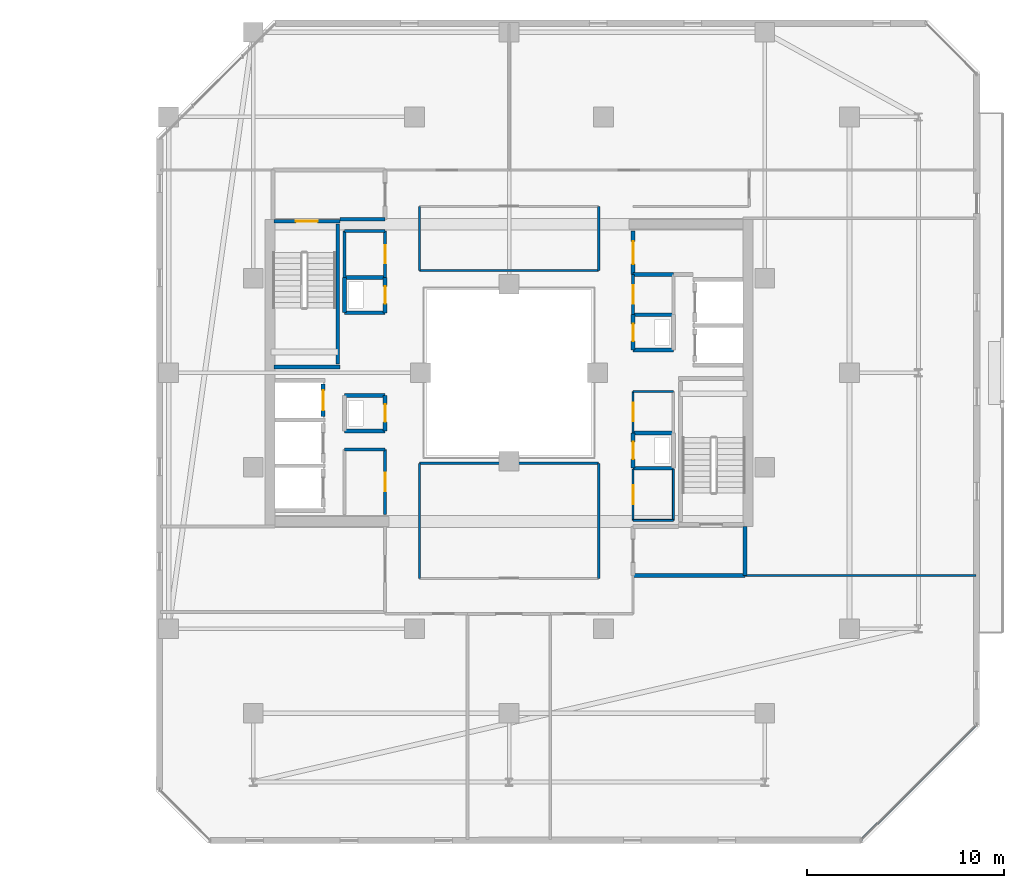
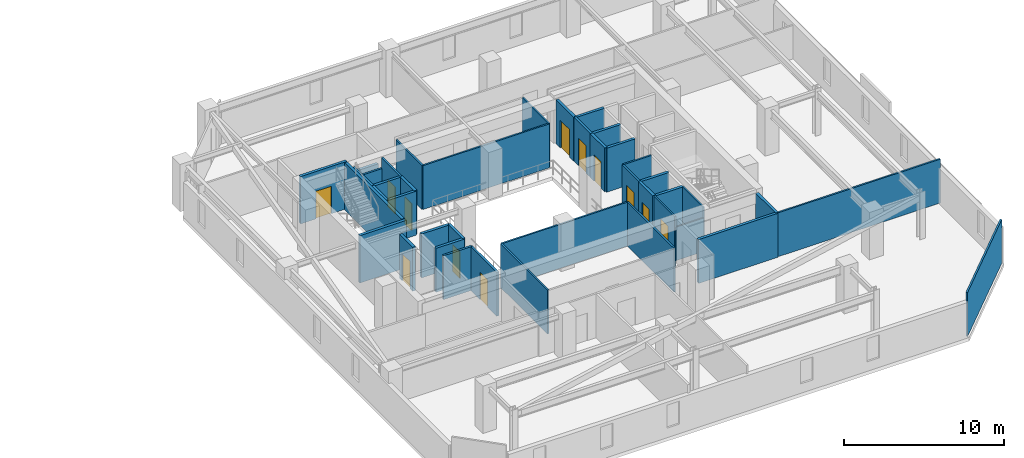
# One storey, part 22 of 31: 41 walls, 12 doors, 12 openings.
"""IFC4 building model written with IfcOpenShell, lengths in metres."""

from ifc_helpers import new_model, si_unit, direction, frame, frame_2d, origin, place, context, subcontext, project, spatial, rectangle, extrude, material, layer, layer_set, type_object, element, fill, save


model = new_model("IFC4")

# Units and contexts
model_context = context("Model", 3, precision=1e-05, world=origin(), true_north=direction((0.0, 1.0)))
body_context = subcontext(model_context, "Body", "Model", "MODEL_VIEW")
ifc_project = project(units=[si_unit("LENGTHUNIT", "METRE"), si_unit("AREAUNIT", "SQUARE_METRE"), si_unit("VOLUMEUNIT", "CUBIC_METRE"), si_unit("PLANEANGLEUNIT", "RADIAN"), si_unit("MASSUNIT", "GRAM", prefix="KILO")], contexts=[model_context])

# Site, building, storey
site_placement = place(None, origin())
site = spatial("IfcSite", under=ifc_project, at=site_placement, CompositionType="ELEMENT")
building_placement = place(site_placement, origin())
building = spatial("IfcBuilding", under=site, at=building_placement, Name="Thornwick Lancets Civic Towers", CompositionType="ELEMENT")
storey_placement = place(building_placement, frame((0.0, 0.0, 233.10009765625)))
storey = spatial("IfcBuildingStorey", under=building, at=storey_placement, Name="L62", CompositionType="ELEMENT", Elevation=233.10009765625)

# Wall, opening, door
ifc_material_1 = material(Name="Concrete blockwork C40/50", Category="masonry")
ifc_layer_1 = layer(ifc_material_1, 0.199951171875, Name="Concrete blockwork C40/50")
ifc_layer_set_1 = layer_set([ifc_layer_1], Name="Concrete blockwork C40/50")
wall_type_1 = type_object("IfcWallType", Name="WALL_COMP_200", PredefinedType="STANDARD", material=ifc_layer_set_1)
wall_1_placement = place(storey_placement, frame((79.050048828125, 24.780029296875, 0.0), z_axis=(0.0, 0.0, 1.0), x_axis=(0.0, 1.0, 0.0)))
wall_1 = element("IfcWall", 1, at=wall_1_placement, inside=storey, type_object=wall_type_1, Name="L62 Hoistway Front Wall FL-B2", PredefinedType="STANDARD", context=body_context, shape_type="SweptSolid", body=[
    extrude(rectangle(XDim=1.639892578125, YDim=0.199951171875, at=frame_2d((0.81982421875, 0.0))), origin(), (0.0, 0.0, 1.0), 3.33984375),
])
opening_1_placement = place(wall_1_placement, frame((0.31005859375, 0.0, 0.0)))
opening_1 = element("IfcOpeningElement", 2, at=opening_1_placement, cuts=wall_1, Name="Opening LD-FL-B2", PredefinedType="OPENING", context=body_context, shape_type="SweptSolid", body=[
    extrude(rectangle(XDim=1.02001953125, YDim=2.06005859375, at=frame_2d((0.510009765625, 1.030029296875))), frame((0.0, 0.10986328125, 0.0), z_axis=(0.0, -1.0, 0.0), x_axis=(1.0, 0.0, 0.0)), (0.0, 0.0, 1.0), 0.219970703125),
])
ifc_material_2 = material(Name="Brushed bronze stainless steel", Category="steel")
door_type_1 = type_object("IfcDoorType", Name="DOOR_LIFT_SLIDE", OperationType="SLIDING_TO_LEFT", PredefinedType="DOOR", material=ifc_material_2)
door_1_placement = place(opening_1_placement, origin())
door_1 = element("IfcDoor", 3, at=door_1_placement, inside=storey, type_object=door_type_1, Name="L62 Sliding Lift Landing Door LD-FL-B2", OperationType="SLIDING_TO_LEFT", OverallHeight=2.06005859375, OverallWidth=1.02001953125, PredefinedType="DOOR", context=body_context, shape_type="SweptSolid", body=[
    extrude(rectangle(XDim=1.02001953125, YDim=2.06005859375, at=frame_2d((0.510009765625, 1.030029296875))), frame((0.0, 0.02490234375, 0.0), z_axis=(0.0, -1.0, 0.0), x_axis=(1.0, 0.0, 0.0)), (0.0, 0.0, 1.0), 0.050048828125),
])
fill(opening_1, door_1)

# Walls
wall_2_placement = place(storey_placement, frame((94.800048828125, 16.699951171875, 0.0), z_axis=(0.0, 0.0, 1.0), x_axis=(1.0, 0.0, 0.0)))
element("IfcWall", 4, at=wall_2_placement, inside=storey, type_object=wall_type_1, Name="L62 Partition L62-B-FFLOB1 E1", PredefinedType="STANDARD", context=body_context, shape_type="SweptSolid", body=[
    extrude(rectangle(XDim=5.699951171875, YDim=0.199951171875, at=frame_2d((2.85009765625, 0.0))), origin(), (0.0, 0.0, 1.0), 3.33984375),
])
wall_3_placement = place(storey_placement, frame((100.5, 16.699951171875, 0.0), z_axis=(0.0, 0.0, 1.0), x_axis=(0.0, 1.0, 0.0)))
element("IfcWall", 5, at=wall_3_placement, inside=storey, type_object=wall_type_1, Name="L62 Partition L62-B-FFLOB1 E2", PredefinedType="STANDARD", context=body_context, shape_type="SweptSolid", body=[
    extrude(rectangle(XDim=2.5, YDim=0.199951171875, at=frame_2d((1.25, 0.0))), origin(), (0.0, 0.0, 1.0), 3.33984375),
])
wall_4_placement = place(storey_placement, frame((79.89990234375, 34.800048828125, 0.0), z_axis=(0.0, 0.0, 1.0), x_axis=(1.0, 0.0, 0.0)))
element("IfcWall", 6, at=wall_4_placement, inside=storey, type_object=wall_type_1, Name="L62 Partition L62-B-FFLOB2 E1", PredefinedType="STANDARD", context=body_context, shape_type="SweptSolid", body=[
    extrude(rectangle(XDim=2.300048828125, YDim=0.199951171875, at=frame_2d((1.14990234375, 0.0))), origin(), (0.0, 0.0, 1.0), 2.544921875),
])
for number, where, z_axis, x_axis, name in (
    (7, (94.800048828125, 28.14990234375, 0.0), (0.0, 0.0, 1.0), (1.0, 0.0, 0.0), "L62 Partition L62-B-DUCT1 E1"),
    (8, (96.85009765625, 29.949951171875, 0.0), (0.0, 0.0, 1.0), (-1.0, 0.0, 0.0), "L62 Partition L62-B-DUCT1 E3"),
):
    element("IfcWall", number, at=place(storey_placement, frame(where, z_axis=z_axis, x_axis=x_axis)), inside=storey, type_object=wall_type_1, Name=name, PredefinedType="STANDARD", context=body_context, shape_type="SweptSolid", body=[
        extrude(rectangle(XDim=2.050048828125, YDim=0.199951171875, at=frame_2d((1.02490234375, 0.0))), origin(), (0.0, 0.0, 1.0), 3.33984375),
    ])

# Wall, opening, door
wall_5_placement = place(storey_placement, frame((94.800048828125, 29.949951171875, 0.0), z_axis=(0.0, 0.0, 1.0), x_axis=(0.0, -1.0, 0.0)))
wall_5 = element("IfcWall", 9, at=wall_5_placement, inside=storey, type_object=wall_type_1, Name="L62 Partition L62-B-DUCT1 E4", PredefinedType="STANDARD", context=body_context, shape_type="SweptSolid", body=[
    extrude(rectangle(XDim=1.800048828125, YDim=0.199951171875, at=frame_2d((0.89990234375, 0.0))), origin(), (0.0, 0.0, 1.0), 3.33984375),
])
opening_2_placement = place(wall_5_placement, frame((0.4599609375, 0.0, 0.0)))
opening_2 = element("IfcOpeningElement", 10, at=opening_2_placement, cuts=wall_5, Name="Opening D-L62-2795", PredefinedType="OPENING", context=body_context, shape_type="SweptSolid", body=[
    extrude(rectangle(XDim=0.8798828125, YDim=2.0400390625, at=frame_2d((0.43994140625, 1.02001953125))), frame((0.0, 0.10986328125, 0.0), z_axis=(0.0, -1.0, 0.0), x_axis=(1.0, 0.0, 0.0)), (0.0, 0.0, 1.0), 0.219970703125),
])
ifc_material_3 = material(Name="Steel riser access doorset", Category="steel")
door_type_2 = type_object("IfcDoorType", Name="DOOR_RISER_850", OperationType="NOTDEFINED", PredefinedType="DOOR", material=ifc_material_3)
door_2_placement = place(opening_2_placement, origin())
door_2 = element("IfcDoor", 11, at=door_2_placement, inside=storey, type_object=door_type_2, Name="L62 East Service Duct 1 Door", OperationType="SINGLE_SWING_RIGHT", OverallHeight=2.0400390625, OverallWidth=0.8798828125, PredefinedType="DOOR", context=body_context, shape_type="SweptSolid", body=[
    extrude(rectangle(XDim=0.8798828125, YDim=2.0400390625, at=frame_2d((0.43994140625, 1.02001953125))), frame((0.0, 0.02490234375, 0.0), z_axis=(0.0, -1.0, 0.0), x_axis=(1.0, 0.0, 0.0)), (0.0, 0.0, 1.0), 0.050048828125),
])
fill(opening_2, door_2)

# Walls
for number, where, z_axis, x_axis, name in (
    (12, (94.800048828125, 22.14990234375, 0.0), (0.0, 0.0, 1.0), (1.0, 0.0, 0.0), "L62 Partition L62-B-RISER1 E1"),
    (13, (96.85009765625, 23.949951171875, 0.0), (0.0, 0.0, 1.0), (-1.0, 0.0, 0.0), "L62 Partition L62-B-RISER1 E3"),
):
    element("IfcWall", number, at=place(storey_placement, frame(where, z_axis=z_axis, x_axis=x_axis)), inside=storey, type_object=wall_type_1, Name=name, PredefinedType="STANDARD", context=body_context, shape_type="SweptSolid", body=[
        extrude(rectangle(XDim=2.050048828125, YDim=0.199951171875, at=frame_2d((1.02490234375, 0.0))), origin(), (0.0, 0.0, 1.0), 3.33984375),
    ])

# Wall, opening, door
wall_6_placement = place(storey_placement, frame((94.800048828125, 23.949951171875, 0.0), z_axis=(0.0, 0.0, 1.0), x_axis=(0.0, -1.0, 0.0)))
wall_6 = element("IfcWall", 14, at=wall_6_placement, inside=storey, type_object=wall_type_1, Name="L62 Partition L62-B-RISER1 E4", PredefinedType="STANDARD", context=body_context, shape_type="SweptSolid", body=[
    extrude(rectangle(XDim=1.800048828125, YDim=0.199951171875, at=frame_2d((0.89990234375, 0.0))), origin(), (0.0, 0.0, 1.0), 3.33984375),
])
opening_3_placement = place(wall_6_placement, frame((0.4599609375, 0.0, 0.0)))
opening_3 = element("IfcOpeningElement", 15, at=opening_3_placement, cuts=wall_6, Name="Opening D-L62-2796", PredefinedType="OPENING", context=body_context, shape_type="SweptSolid", body=[
    extrude(rectangle(XDim=0.8798828125, YDim=2.0400390625, at=frame_2d((0.43994140625, 1.02001953125))), frame((0.0, 0.10986328125, 0.0), z_axis=(0.0, -1.0, 0.0), x_axis=(1.0, 0.0, 0.0)), (0.0, 0.0, 1.0), 0.219970703125),
])
door_3_placement = place(opening_3_placement, origin())
door_3 = element("IfcDoor", 16, at=door_3_placement, inside=storey, type_object=door_type_2, Name="L62 East Electrical Riser 1 Door", OperationType="SINGLE_SWING_LEFT", OverallHeight=2.0400390625, OverallWidth=0.8798828125, PredefinedType="DOOR", context=body_context, shape_type="SweptSolid", body=[
    extrude(rectangle(XDim=0.8798828125, YDim=2.0400390625, at=frame_2d((0.43994140625, 1.02001953125))), frame((0.0, 0.02490234375, 0.0), z_axis=(0.0, -1.0, 0.0), x_axis=(1.0, 0.0, 0.0)), (0.0, 0.0, 1.0), 0.050048828125),
])
fill(opening_3, door_3)

# Wall
wall_7_placement = place(storey_placement, frame((80.14990234375, 24.050048828125, 0.0), z_axis=(0.0, 0.0, 1.0), x_axis=(1.0, 0.0, 0.0)))
element("IfcWall", 17, at=wall_7_placement, inside=storey, type_object=wall_type_1, Name="L62 Partition L62-B-DUCT2 E1", PredefinedType="STANDARD", context=body_context, shape_type="SweptSolid", body=[
    extrude(rectangle(XDim=2.050048828125, YDim=0.199951171875, at=frame_2d((1.02490234375, 0.0))), origin(), (0.0, 0.0, 1.0), 3.33984375),
])

# Wall, opening, door
wall_8_placement = place(storey_placement, frame((82.199951171875, 24.050048828125, 0.0), z_axis=(0.0, 0.0, 1.0), x_axis=(0.0, 1.0, 0.0)))
wall_8 = element("IfcWall", 18, at=wall_8_placement, inside=storey, type_object=wall_type_1, Name="L62 Partition L62-B-DUCT2 E2", PredefinedType="STANDARD", context=body_context, shape_type="SweptSolid", body=[
    extrude(rectangle(XDim=1.800048828125, YDim=0.199951171875, at=frame_2d((0.89990234375, 0.0))), origin(), (0.0, 0.0, 1.0), 3.33984375),
])
opening_4_placement = place(wall_8_placement, frame((0.4599609375, 0.0, 0.0)))
opening_4 = element("IfcOpeningElement", 19, at=opening_4_placement, cuts=wall_8, Name="Opening D-L62-2797", PredefinedType="OPENING", context=body_context, shape_type="SweptSolid", body=[
    extrude(rectangle(XDim=0.8798828125, YDim=2.0400390625, at=frame_2d((0.43994140625, 1.02001953125))), frame((0.0, 0.10986328125, 0.0), z_axis=(0.0, -1.0, 0.0), x_axis=(1.0, 0.0, 0.0)), (0.0, 0.0, 1.0), 0.219970703125),
])
door_4_placement = place(opening_4_placement, origin())
door_4 = element("IfcDoor", 20, at=door_4_placement, inside=storey, type_object=door_type_2, Name="L62 West Service Duct 2 Door", OperationType="SINGLE_SWING_RIGHT", OverallHeight=2.0400390625, OverallWidth=0.8798828125, PredefinedType="DOOR", context=body_context, shape_type="SweptSolid", body=[
    extrude(rectangle(XDim=0.8798828125, YDim=2.0400390625, at=frame_2d((0.43994140625, 1.02001953125))), frame((0.0, 0.02490234375, 0.0), z_axis=(0.0, -1.0, 0.0), x_axis=(1.0, 0.0, 0.0)), (0.0, 0.0, 1.0), 0.050048828125),
])
fill(opening_4, door_4)

# Walls
for number, where, z_axis, x_axis, name in (
    (21, (82.199951171875, 25.85009765625, 0.0), (0.0, 0.0, 1.0), (-1.0, 0.0, 0.0), "L62 Partition L62-B-DUCT2 E3"),
    (22, (80.14990234375, 30.050048828125, 0.0), (0.0, 0.0, 1.0), (1.0, 0.0, 0.0), "L62 Partition L62-B-RISER2 E1"),
):
    element("IfcWall", number, at=place(storey_placement, frame(where, z_axis=z_axis, x_axis=x_axis)), inside=storey, type_object=wall_type_1, Name=name, PredefinedType="STANDARD", context=body_context, shape_type="SweptSolid", body=[
        extrude(rectangle(XDim=2.050048828125, YDim=0.199951171875, at=frame_2d((1.02490234375, 0.0))), origin(), (0.0, 0.0, 1.0), 3.33984375),
    ])

# Wall, opening, door
wall_9_placement = place(storey_placement, frame((82.199951171875, 30.050048828125, 0.0), z_axis=(0.0, 0.0, 1.0), x_axis=(0.0, 1.0, 0.0)))
wall_9 = element("IfcWall", 23, at=wall_9_placement, inside=storey, type_object=wall_type_1, Name="L62 Partition L62-B-RISER2 E2", PredefinedType="STANDARD", context=body_context, shape_type="SweptSolid", body=[
    extrude(rectangle(XDim=1.800048828125, YDim=0.199951171875, at=frame_2d((0.89990234375, 0.0))), origin(), (0.0, 0.0, 1.0), 3.33984375),
])
opening_5_placement = place(wall_9_placement, frame((0.4599609375, 0.0, 0.0)))
opening_5 = element("IfcOpeningElement", 24, at=opening_5_placement, cuts=wall_9, Name="Opening D-L62-2798", PredefinedType="OPENING", context=body_context, shape_type="SweptSolid", body=[
    extrude(rectangle(XDim=0.8798828125, YDim=2.0400390625, at=frame_2d((0.43994140625, 1.02001953125))), frame((0.0, 0.10986328125, 0.0), z_axis=(0.0, -1.0, 0.0), x_axis=(1.0, 0.0, 0.0)), (0.0, 0.0, 1.0), 0.219970703125),
])
door_5_placement = place(opening_5_placement, origin())
door_5 = element("IfcDoor", 25, at=door_5_placement, inside=storey, type_object=door_type_2, Name="L62 West Service Riser 2 Door", OperationType="SINGLE_SWING_LEFT", OverallHeight=2.0400390625, OverallWidth=0.8798828125, PredefinedType="DOOR", context=body_context, shape_type="SweptSolid", body=[
    extrude(rectangle(XDim=0.8798828125, YDim=2.0400390625, at=frame_2d((0.43994140625, 1.02001953125))), frame((0.0, 0.02490234375, 0.0), z_axis=(0.0, -1.0, 0.0), x_axis=(1.0, 0.0, 0.0)), (0.0, 0.0, 1.0), 0.050048828125),
])
fill(opening_5, door_5)

# Walls
wall_10_placement = place(storey_placement, frame((82.199951171875, 31.85009765625, 0.0), z_axis=(0.0, 0.0, 1.0), x_axis=(-1.0, 0.0, 0.0)))
element("IfcWall", 26, at=wall_10_placement, inside=storey, type_object=wall_type_1, Name="L62 Partition L62-B-RISER2 E3", PredefinedType="STANDARD", context=body_context, shape_type="SweptSolid", body=[
    extrude(rectangle(XDim=2.050048828125, YDim=0.199951171875, at=frame_2d((1.02490234375, 0.0))), origin(), (0.0, 0.0, 1.0), 3.33984375),
])
wall_11_placement = place(storey_placement, frame((80.14990234375, 31.85009765625, 0.0), z_axis=(0.0, 0.0, 1.0), x_axis=(0.0, -1.0, 0.0)))
element("IfcWall", 27, at=wall_11_placement, inside=storey, type_object=wall_type_1, Name="L62 Partition L62-B-RISER2 E4", PredefinedType="STANDARD", context=body_context, shape_type="SweptSolid", body=[
    extrude(rectangle(XDim=1.800048828125, YDim=0.199951171875, at=frame_2d((0.89990234375, 0.0))), origin(), (0.0, 0.0, 1.0), 3.33984375),
])

# Wall, opening, door
wall_12_placement = place(storey_placement, frame((94.800048828125, 32.0, 0.0), z_axis=(0.0, 0.0, 1.0), x_axis=(0.0, 1.0, 0.0)))
wall_12 = element("IfcWall", 28, at=wall_12_placement, inside=storey, type_object=wall_type_1, Name="L62 Partition L62-B-STR2 E1", PredefinedType="STANDARD", context=body_context, shape_type="SweptSolid", body=[
    extrude(rectangle(XDim=2.199951171875, YDim=0.199951171875, at=frame_2d((1.10009765625, 0.0))), origin(), (0.0, 0.0, 1.0), 3.33984375),
])
opening_6_placement = place(wall_12_placement, frame((0.52490234375, 0.0, 0.0)))
opening_6 = element("IfcOpeningElement", 29, at=opening_6_placement, cuts=wall_12, Name="Opening D-L62-2802", PredefinedType="OPENING", context=body_context, shape_type="SweptSolid", body=[
    extrude(rectangle(XDim=1.14990234375, YDim=2.10009765625, at=frame_2d((0.574951171875, 1.050048828125))), frame((0.0, 0.10986328125, 0.0), z_axis=(0.0, -1.0, 0.0), x_axis=(1.0, 0.0, 0.0)), (0.0, 0.0, 1.0), 0.219970703125),
])
ifc_material_4 = material(Name="Glazed fire-resisting steel", Category="steel")
door_type_3 = type_object("IfcDoorType", Name="DOOR_LOBBY_FD60", OperationType="NOTDEFINED", PredefinedType="DOOR", material=ifc_material_4)
door_6_placement = place(opening_6_placement, origin())
door_6 = element("IfcDoor", 30, at=door_6_placement, inside=storey, type_object=door_type_3, Name="L62 Tower B Core Supplies Store Door", OperationType="SINGLE_SWING_LEFT", OverallHeight=2.10009765625, OverallWidth=1.14990234375, PredefinedType="DOOR", context=body_context, shape_type="SweptSolid", body=[
    extrude(rectangle(XDim=1.14990234375, YDim=2.10009765625, at=frame_2d((0.574951171875, 1.050048828125))), frame((0.0, 0.02490234375, 0.0), z_axis=(0.0, -1.0, 0.0), x_axis=(1.0, 0.0, 0.0)), (0.0, 0.0, 1.0), 0.050048828125),
])
fill(opening_6, door_6)

# Walls
wall_13_placement = place(storey_placement, frame((96.85009765625, 32.0, 0.0), z_axis=(0.0, 0.0, 1.0), x_axis=(-1.0, 0.0, 0.0)))
element("IfcWall", 31, at=wall_13_placement, inside=storey, type_object=wall_type_1, Name="L62 Partition L62-B-STR2 E5", PredefinedType="STANDARD", context=body_context, shape_type="SweptSolid", body=[
    extrude(rectangle(XDim=2.050048828125, YDim=0.199951171875, at=frame_2d((1.02490234375, 0.0))), origin(), (0.0, 0.0, 1.0), 3.33984375),
])
ifc_material_5 = material(Name="Lightweight cellular office partition")
ifc_layer_2 = layer(ifc_material_5, 0.10009765625, Name="Lightweight cellular office partition")
ifc_layer_set_2 = layer_set([ifc_layer_2], Name="Lightweight cellular office partition")
wall_type_2 = type_object("IfcWallType", Name="WALL_PART_100", PredefinedType="PARTITIONING", material=ifc_layer_set_2)
wall_14_placement = place(storey_placement, frame((94.800048828125, 19.5, 0.0), z_axis=(0.0, 0.0, 1.0), x_axis=(1.0, 0.0, 0.0)))
element("IfcWall", 32, at=wall_14_placement, inside=storey, type_object=wall_type_2, Name="L62 Partition L62-B-CLN E1", PredefinedType="PARTITIONING", context=body_context, shape_type="SweptSolid", body=[
    extrude(rectangle(XDim=2.050048828125, YDim=0.10009765625, at=frame_2d((1.02490234375, 0.0))), origin(), (0.0, 0.0, 1.0), 2.544921875),
])
wall_15_placement = place(storey_placement, frame((96.85009765625, 19.5, 0.0), z_axis=(0.0, 0.0, 1.0), x_axis=(0.0, 1.0, 0.0)))
element("IfcWall", 33, at=wall_15_placement, inside=storey, type_object=wall_type_2, Name="L62 Partition L62-B-CLN E2", PredefinedType="PARTITIONING", context=body_context, shape_type="SweptSolid", body=[
    extrude(rectangle(XDim=2.60009765625, YDim=0.10009765625, at=frame_2d((1.300048828125, 0.0))), origin(), (0.0, 0.0, 1.0), 3.33984375),
])

# Wall, opening, door
wall_16_placement = place(storey_placement, frame((94.800048828125, 22.10009765625, 0.0), z_axis=(0.0, 0.0, 1.0), x_axis=(0.0, -1.0, 0.0)))
wall_16 = element("IfcWall", 34, at=wall_16_placement, inside=storey, type_object=wall_type_2, Name="L62 Partition L62-B-CLN E4", PredefinedType="PARTITIONING", context=body_context, shape_type="SweptSolid", body=[
    extrude(rectangle(XDim=2.60009765625, YDim=0.10009765625, at=frame_2d((1.300048828125, 0.0))), origin(), (0.0, 0.0, 1.0), 3.33984375),
])
opening_7_placement = place(wall_16_placement, frame((0.824951171875, 0.0, 0.0)))
opening_7 = element("IfcOpeningElement", 35, at=opening_7_placement, cuts=wall_16, Name="Opening D-L62-2799", PredefinedType="OPENING", context=body_context, shape_type="SweptSolid", body=[
    extrude(rectangle(XDim=0.949951171875, YDim=2.10009765625, at=frame_2d((0.47509765625, 1.050048828125))), frame((0.0, 0.06005859375, 0.0), z_axis=(0.0, -1.0, 0.0), x_axis=(1.0, 0.0, 0.0)), (0.0, 0.0, 1.0), 0.1201171875),
])
ifc_material_6 = material(Name="European oak acoustic doorset")
door_type_4 = type_object("IfcDoorType", Name="DOOR_OFFICE_950", OperationType="NOTDEFINED", PredefinedType="DOOR", material=ifc_material_6)
door_7_placement = place(opening_7_placement, origin())
door_7 = element("IfcDoor", 36, at=door_7_placement, inside=storey, type_object=door_type_4, Name="L62 Tower B Cleaners Store Door", OperationType="SINGLE_SWING_RIGHT", OverallHeight=2.10009765625, OverallWidth=0.949951171875, PredefinedType="DOOR", context=body_context, shape_type="SweptSolid", body=[
    extrude(rectangle(XDim=0.949951171875, YDim=2.10009765625, at=frame_2d((0.47509765625, 1.050048828125))), frame((0.0, 0.02490234375, 0.0), z_axis=(0.0, -1.0, 0.0), x_axis=(1.0, 0.0, 0.0)), (0.0, 0.0, 1.0), 0.050048828125),
])
fill(opening_7, door_7)

ifc_material_7 = material(Name="Acoustic gypsum board partition")
ifc_layer_3 = layer(ifc_material_7, 0.1201171875, Name="Acoustic gypsum board partition")
ifc_layer_set_3 = layer_set([ifc_layer_3], Name="Acoustic gypsum board partition")
wall_type_3 = type_object("IfcWallType", Name="WALL_PART_120", PredefinedType="PARTITIONING", material=ifc_layer_set_3)
wall_17_placement = place(storey_placement, frame((94.800048828125, 23.949951171875, 0.0), z_axis=(0.0, 0.0, 1.0), x_axis=(0.0, 1.0, 0.0)))
wall_17 = element("IfcWall", 37, at=wall_17_placement, inside=storey, type_object=wall_type_3, Name="L62 Partition L62-B-ITR E1", PredefinedType="PARTITIONING", context=body_context, shape_type="SweptSolid", body=[
    extrude(rectangle(XDim=2.10009765625, YDim=0.1201171875, at=frame_2d((1.050048828125, 0.0))), origin(), (0.0, 0.0, 1.0), 3.33984375),
])
opening_8_placement = place(wall_17_placement, frame((0.574951171875, 0.0, 0.0)))
opening_8 = element("IfcOpeningElement", 38, at=opening_8_placement, cuts=wall_17, Name="Opening D-L62-2800", PredefinedType="OPENING", context=body_context, shape_type="SweptSolid", body=[
    extrude(rectangle(XDim=0.949951171875, YDim=2.10009765625, at=frame_2d((0.47509765625, 1.050048828125))), frame((0.0, 0.070068359375, 0.0), z_axis=(0.0, -1.0, 0.0), x_axis=(1.0, 0.0, 0.0)), (0.0, 0.0, 1.0), 0.14013671875),
])
door_8_placement = place(opening_8_placement, origin())
door_8 = element("IfcDoor", 39, at=door_8_placement, inside=storey, type_object=door_type_4, Name="L62 Tower B Comms Patch Room Door", OperationType="SINGLE_SWING_LEFT", OverallHeight=2.10009765625, OverallWidth=0.949951171875, PredefinedType="DOOR", context=body_context, shape_type="SweptSolid", body=[
    extrude(rectangle(XDim=0.949951171875, YDim=2.10009765625, at=frame_2d((0.47509765625, 1.050048828125))), frame((0.0, 0.02490234375, 0.0), z_axis=(0.0, -1.0, 0.0), x_axis=(1.0, 0.0, 0.0)), (0.0, 0.0, 1.0), 0.050048828125),
])
fill(opening_8, door_8)

# Walls
wall_18_placement = place(storey_placement, frame((94.800048828125, 26.050048828125, 0.0), z_axis=(0.0, 0.0, 1.0), x_axis=(1.0, 0.0, 0.0)))
element("IfcWall", 40, at=wall_18_placement, inside=storey, type_object=wall_type_3, Name="L62 Partition L62-B-ITR E2", PredefinedType="PARTITIONING", context=body_context, shape_type="SweptSolid", body=[
    extrude(rectangle(XDim=2.050048828125, YDim=0.1201171875, at=frame_2d((1.02490234375, 0.0))), origin(), (0.0, 0.0, 1.0), 3.33984375),
])
wall_19_placement = place(storey_placement, frame((100.5, 16.699951171875, 0.0), z_axis=(0.0, 0.0, 1.0), x_axis=(1.0, 0.0, 0.0)))
element("IfcWall", 41, at=wall_19_placement, inside=storey, type_object=wall_type_3, Name="L62 Partition L62-B-W1 E7", PredefinedType="PARTITIONING", context=body_context, shape_type="SweptSolid", body=[
    extrude(rectangle(XDim=11.719970703125, YDim=0.1201171875, at=frame_2d((5.85986328125, 0.0))), origin(), (0.0, 0.0, 1.0), 3.33984375),
])
wall_20_placement = place(storey_placement, frame((112.219970703125, 9.09765625, 0.0), z_axis=(0.0, 0.0, 1.0), x_axis=(-0.707106781187, -0.707106781187, 0.0)))
element("IfcWall", 42, at=wall_20_placement, inside=storey, type_object=wall_type_3, Name="L62 Partition L62-B-W1 E9", PredefinedType="PARTITIONING", context=body_context, shape_type="SweptSolid", body=[
    extrude(rectangle(XDim=8.227294921875, YDim=0.1201171875, at=frame_2d((4.11376953125, 0.0))), origin(), (0.0, 0.0, 1.0), 3.33984375),
])
wall_21_placement = place(storey_placement, frame((83.949951171875, 16.550048828125, 0.0), z_axis=(0.0, 0.0, 1.0), x_axis=(0.0, 1.0, 0.0)))
element("IfcWall", 43, at=wall_21_placement, inside=storey, type_object=wall_type_3, Name="L62 Partition L62-B-W3 E1", PredefinedType="PARTITIONING", context=body_context, shape_type="SweptSolid", body=[
    extrude(rectangle(XDim=5.849853515625, YDim=0.1201171875, at=frame_2d((2.9248046875, 0.0))), origin(), (0.0, 0.0, 1.0), 3.33984375),
])
wall_22_placement = place(storey_placement, frame((83.949951171875, 22.39990234375, 0.0), z_axis=(0.0, 0.0, 1.0), x_axis=(1.0, 0.0, 0.0)))
element("IfcWall", 44, at=wall_22_placement, inside=storey, type_object=wall_type_3, Name="L62 Partition L62-B-W3 E2", PredefinedType="PARTITIONING", context=body_context, shape_type="SweptSolid", body=[
    extrude(rectangle(XDim=9.10009765625, YDim=0.1201171875, at=frame_2d((4.550048828125, 0.0))), origin(), (0.0, 0.0, 1.0), 3.33984375),
])
wall_23_placement = place(storey_placement, frame((93.050048828125, 22.39990234375, 0.0), z_axis=(0.0, 0.0, 1.0), x_axis=(0.0, -1.0, 0.0)))
element("IfcWall", 45, at=wall_23_placement, inside=storey, type_object=wall_type_3, Name="L62 Partition L62-B-W3 E3", PredefinedType="PARTITIONING", context=body_context, shape_type="SweptSolid", body=[
    extrude(rectangle(XDim=5.849853515625, YDim=0.1201171875, at=frame_2d((2.9248046875, 0.0))), origin(), (0.0, 0.0, 1.0), 3.33984375),
])
for number, where, z_axis, x_axis, name in (
    (46, (83.949951171875, 32.199951171875, 0.0), (0.0, 0.0, 1.0), (0.0, 1.0, 0.0), "L62 Partition L62-B-E-ATRIUM-OFF E1"),
    (47, (93.050048828125, 35.449951171875, 0.0), (0.0, 0.0, 1.0), (0.0, -1.0, 0.0), "L62 Partition L62-B-E-ATRIUM-OFF E3"),
):
    element("IfcWall", number, at=place(storey_placement, frame(where, z_axis=z_axis, x_axis=x_axis)), inside=storey, type_object=wall_type_3, Name=name, PredefinedType="PARTITIONING", context=body_context, shape_type="SweptSolid", body=[
        extrude(rectangle(XDim=3.25, YDim=0.1201171875, at=frame_2d((1.625, 0.0))), origin(), (0.0, 0.0, 1.0), 3.33984375),
    ])
wall_24_placement = place(storey_placement, frame((93.050048828125, 32.199951171875, 0.0), z_axis=(0.0, 0.0, 1.0), x_axis=(-1.0, 0.0, 0.0)))
element("IfcWall", 48, at=wall_24_placement, inside=storey, type_object=wall_type_3, Name="L62 Partition L62-B-E-ATRIUM-OFF E4", PredefinedType="PARTITIONING", context=body_context, shape_type="SweptSolid", body=[
    extrude(rectangle(XDim=9.10009765625, YDim=0.1201171875, at=frame_2d((4.550048828125, 0.0))), origin(), (0.0, 0.0, 1.0), 3.33984375),
])

# Wall, opening, door
ifc_material_8 = material(Name="Twin-stud acoustic gypsum board")
ifc_layer_4 = layer(ifc_material_8, 0.14990234375, Name="Twin-stud acoustic gypsum board")
ifc_layer_set_4 = layer_set([ifc_layer_4], Name="Twin-stud acoustic gypsum board")
wall_type_4 = type_object("IfcWallType", Name="WALL_PART_150", PredefinedType="PARTITIONING", material=ifc_layer_set_4)
wall_25_placement = place(storey_placement, frame((94.800048828125, 29.949951171875, 0.0), z_axis=(0.0, 0.0, 1.0), x_axis=(0.0, 1.0, 0.0)))
wall_25 = element("IfcWall", 49, at=wall_25_placement, inside=storey, type_object=wall_type_4, Name="L62 Partition L62-B-AWC E1", PredefinedType="PARTITIONING", context=body_context, shape_type="SweptSolid", body=[
    extrude(rectangle(XDim=2.050048828125, YDim=0.14990234375, at=frame_2d((1.02490234375, 0.0))), origin(), (0.0, 0.0, 1.0), 3.33984375),
])
opening_9_placement = place(wall_25_placement, frame((0.56494140625, 0.0, 0.0)))
opening_9 = element("IfcOpeningElement", 50, at=opening_9_placement, cuts=wall_25, Name="Opening D-L62-2801", PredefinedType="OPENING", context=body_context, shape_type="SweptSolid", body=[
    extrude(rectangle(XDim=0.919921875, YDim=2.080078125, at=frame_2d((0.4599609375, 1.0400390625))), frame((0.0, 0.0849609375, 0.0), z_axis=(0.0, -1.0, 0.0), x_axis=(1.0, 0.0, 0.0)), (0.0, 0.0, 1.0), 0.169921875),
])
ifc_material_9 = material(Name="Moisture-resistant oak doorset")
door_type_5 = type_object("IfcDoorType", Name="DOOR_WC_900", OperationType="NOTDEFINED", PredefinedType="DOOR", material=ifc_material_9)
door_9_placement = place(opening_9_placement, origin())
door_9 = element("IfcDoor", 51, at=door_9_placement, inside=storey, type_object=door_type_5, Name="L62 Tower B Accessible WC Door", OperationType="SINGLE_SWING_RIGHT", OverallHeight=2.080078125, OverallWidth=0.919921875, PredefinedType="DOOR", context=body_context, shape_type="SweptSolid", body=[
    extrude(rectangle(XDim=0.919921875, YDim=2.080078125, at=frame_2d((0.4599609375, 1.0400390625))), frame((0.0, 0.02490234375, 0.0), z_axis=(0.0, -1.0, 0.0), x_axis=(1.0, 0.0, 0.0)), (0.0, 0.0, 1.0), 0.050048828125),
])
fill(opening_9, door_9)

wall_26_placement = place(storey_placement, frame((82.199951171875, 19.800048828125, 0.0), z_axis=(0.0, 0.0, 1.0), x_axis=(0.0, 1.0, 0.0)))
wall_26 = element("IfcWall", 52, at=wall_26_placement, inside=storey, type_object=wall_type_4, Name="L62 Partition L62-B-MWC E2", PredefinedType="PARTITIONING", context=body_context, shape_type="SweptSolid", body=[
    extrude(rectangle(XDim=3.300048828125, YDim=0.14990234375, at=frame_2d((1.64990234375, 0.0))), origin(), (0.0, 0.0, 1.0), 3.33984375),
])
opening_10_placement = place(wall_26_placement, frame((1.18994140625, 0.0, 0.0)))
opening_10 = element("IfcOpeningElement", 53, at=opening_10_placement, cuts=wall_26, Name="Opening D-L62-2803", PredefinedType="OPENING", context=body_context, shape_type="SweptSolid", body=[
    extrude(rectangle(XDim=0.919921875, YDim=2.080078125, at=frame_2d((0.4599609375, 1.0400390625))), frame((0.0, 0.0849609375, 0.0), z_axis=(0.0, -1.0, 0.0), x_axis=(1.0, 0.0, 0.0)), (0.0, 0.0, 1.0), 0.169921875),
])
door_10_placement = place(opening_10_placement, origin())
door_10 = element("IfcDoor", 54, at=door_10_placement, inside=storey, type_object=door_type_5, Name="L62 Tower B Male WC Door", OperationType="SINGLE_SWING_RIGHT", OverallHeight=2.080078125, OverallWidth=0.919921875, PredefinedType="DOOR", context=body_context, shape_type="SweptSolid", body=[
    extrude(rectangle(XDim=0.919921875, YDim=2.080078125, at=frame_2d((0.4599609375, 1.0400390625))), frame((0.0, 0.02490234375, 0.0), z_axis=(0.0, -1.0, 0.0), x_axis=(1.0, 0.0, 0.0)), (0.0, 0.0, 1.0), 0.050048828125),
])
fill(opening_10, door_10)

# Walls
wall_27_placement = place(storey_placement, frame((82.199951171875, 23.10009765625, 0.0), z_axis=(0.0, 0.0, 1.0), x_axis=(-1.0, 0.0, 0.0)))
element("IfcWall", 55, at=wall_27_placement, inside=storey, type_object=wall_type_4, Name="L62 Partition L62-B-MWC E3", PredefinedType="PARTITIONING", context=body_context, shape_type="SweptSolid", body=[
    extrude(rectangle(XDim=2.050048828125, YDim=0.14990234375, at=frame_2d((1.02490234375, 0.0))), origin(), (0.0, 0.0, 1.0), 3.33984375),
])
wall_28_placement = place(storey_placement, frame((80.14990234375, 31.85009765625, 0.0), z_axis=(0.0, 0.0, 1.0), x_axis=(0.0, 1.0, 0.0)))
element("IfcWall", 56, at=wall_28_placement, inside=storey, type_object=wall_type_4, Name="L62 Partition L62-B-FWC E1", PredefinedType="PARTITIONING", context=body_context, shape_type="SweptSolid", body=[
    extrude(rectangle(XDim=2.349853515625, YDim=0.14990234375, at=frame_2d((1.1748046875, 0.0))), origin(), (0.0, 0.0, 1.0), 3.33984375),
])
wall_29_placement = place(storey_placement, frame((80.14990234375, 34.199951171875, 0.0), z_axis=(0.0, 0.0, 1.0), x_axis=(1.0, 0.0, 0.0)))
element("IfcWall", 57, at=wall_29_placement, inside=storey, type_object=wall_type_4, Name="L62 Partition L62-B-FWC E2", PredefinedType="PARTITIONING", context=body_context, shape_type="SweptSolid", body=[
    extrude(rectangle(XDim=2.050048828125, YDim=0.14990234375, at=frame_2d((1.02490234375, 0.0))), origin(), (0.0, 0.0, 1.0), 2.544921875),
])

# Wall, opening, door
wall_30_placement = place(storey_placement, frame((82.199951171875, 34.199951171875, 0.0), z_axis=(0.0, 0.0, 1.0), x_axis=(0.0, -1.0, 0.0)))
wall_30 = element("IfcWall", 58, at=wall_30_placement, inside=storey, type_object=wall_type_4, Name="L62 Partition L62-B-FWC E3", PredefinedType="PARTITIONING", context=body_context, shape_type="SweptSolid", body=[
    extrude(rectangle(XDim=2.349853515625, YDim=0.14990234375, at=frame_2d((1.1748046875, 0.0))), origin(), (0.0, 0.0, 1.0), 3.33984375),
])
opening_11_placement = place(wall_30_placement, frame((0.715087890625, 0.0, 0.0)))
opening_11 = element("IfcOpeningElement", 59, at=opening_11_placement, cuts=wall_30, Name="Opening D-L62-2804", PredefinedType="OPENING", context=body_context, shape_type="SweptSolid", body=[
    extrude(rectangle(XDim=0.919921875, YDim=2.080078125, at=frame_2d((0.4599609375, 1.0400390625))), frame((0.0, 0.0849609375, 0.0), z_axis=(0.0, -1.0, 0.0), x_axis=(1.0, 0.0, 0.0)), (0.0, 0.0, 1.0), 0.169921875),
])
door_11_placement = place(opening_11_placement, origin())
door_11 = element("IfcDoor", 60, at=door_11_placement, inside=storey, type_object=door_type_5, Name="L62 Tower B Female WC Door", OperationType="SINGLE_SWING_LEFT", OverallHeight=2.080078125, OverallWidth=0.919921875, PredefinedType="DOOR", context=body_context, shape_type="SweptSolid", body=[
    extrude(rectangle(XDim=0.919921875, YDim=2.080078125, at=frame_2d((0.4599609375, 1.0400390625))), frame((0.0, 0.02490234375, 0.0), z_axis=(0.0, -1.0, 0.0), x_axis=(1.0, 0.0, 0.0)), (0.0, 0.0, 1.0), 0.050048828125),
])
fill(opening_11, door_11)

ifc_material_10 = material(Name="Concrete C40/50", Category="concrete")
ifc_layer_5 = layer(ifc_material_10, 0.199951171875, Name="Concrete C40/50")
ifc_layer_set_5 = layer_set([ifc_layer_5], Name="Concrete C40/50")
wall_type_5 = type_object("IfcWallType", Name="WALL_SHAFT_200", PredefinedType="SHEAR", material=ifc_layer_set_5)
wall_31_placement = place(storey_placement, frame((76.550048828125, 34.699951171875, 0.0), z_axis=(0.0, 0.0, 1.0), x_axis=(1.0, 0.0, 0.0)))
wall_31 = element("IfcWall", 61, at=wall_31_placement, inside=storey, type_object=wall_type_5, Name="L62 ST-B2 Fire Stair Core Wall NEAR", PredefinedType="SHEAR", context=body_context, shape_type="SweptSolid", body=[
    extrude(rectangle(XDim=3.349853515625, YDim=0.199951171875, at=frame_2d((1.6748046875, 0.0))), origin(), (0.0, 0.0, 1.0), 3.599853515625),
])
opening_12_placement = place(wall_31_placement, frame((1.125, 0.0, 0.0)))
opening_12 = element("IfcOpeningElement", 62, at=opening_12_placement, cuts=wall_31, Name="Opening D-ST-B2-L62", PredefinedType="OPENING", context=body_context, shape_type="SweptSolid", body=[
    extrude(rectangle(XDim=1.10009765625, YDim=2.10009765625, at=frame_2d((0.550048828125, 1.050048828125))), frame((0.0, 0.10986328125, 0.0), z_axis=(0.0, -1.0, 0.0), x_axis=(1.0, 0.0, 0.0)), (0.0, 0.0, 1.0), 0.219970703125),
])
ifc_material_11 = material(Name="Fire-resisting steel and hardwood", Category="steel")
door_type_6 = type_object("IfcDoorType", Name="DOOR_STAIR_FD60", OperationType="NOTDEFINED", PredefinedType="DOOR", material=ifc_material_11)
door_12_placement = place(opening_12_placement, origin())
door_12 = element("IfcDoor", 63, at=door_12_placement, inside=storey, type_object=door_type_6, Name="L62 ST-B2 Exit Stair Door", OperationType="SINGLE_SWING_LEFT", OverallHeight=2.10009765625, OverallWidth=1.10009765625, PredefinedType="DOOR", context=body_context, shape_type="SweptSolid", body=[
    extrude(rectangle(XDim=1.10009765625, YDim=2.10009765625, at=frame_2d((0.550048828125, 1.050048828125))), frame((0.0, 0.02490234375, 0.0), z_axis=(0.0, -1.0, 0.0), x_axis=(1.0, 0.0, 0.0)), (0.0, 0.0, 1.0), 0.050048828125),
])
fill(opening_12, door_12)

# Walls
wall_32_placement = place(storey_placement, frame((79.89990234375, 27.300048828125, 0.0), z_axis=(0.0, 0.0, 1.0), x_axis=(-1.0, 0.0, 0.0)))
element("IfcWall", 64, at=wall_32_placement, inside=storey, type_object=wall_type_5, Name="L62 ST-B2 Fire Stair Core Wall FAR", PredefinedType="SHEAR", context=body_context, shape_type="SweptSolid", body=[
    extrude(rectangle(XDim=3.349853515625, YDim=0.199951171875, at=frame_2d((1.6748046875, 0.0))), origin(), (0.0, 0.0, 1.0), 3.599853515625),
])
wall_33_placement = place(storey_placement, frame((79.797119140625, 27.449951171875, 0.0), z_axis=(0.0, 0.0, 1.0), x_axis=(0.0, 1.0, 0.0)))
element("IfcWall", 65, at=wall_33_placement, inside=storey, type_object=wall_type_5, Name="L62 ST-B2 Fire Stair Core Wall RIGHT", PredefinedType="SHEAR", context=body_context, shape_type="SweptSolid", body=[
    extrude(rectangle(XDim=7.10009765625, YDim=0.199951171875, at=frame_2d((3.550048828125, 0.0))), origin(), (0.0, 0.0, 1.0), 3.599853515625),
])

save(model, "model.ifc")
